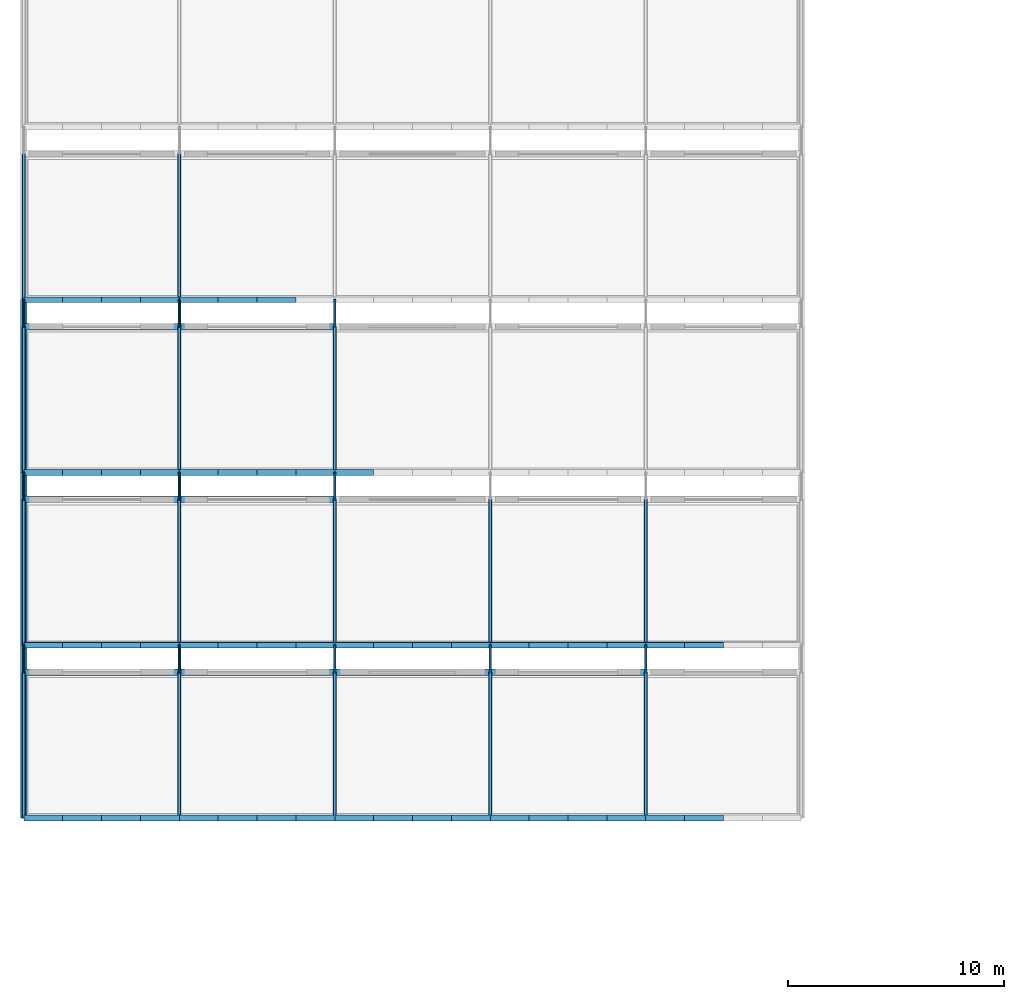
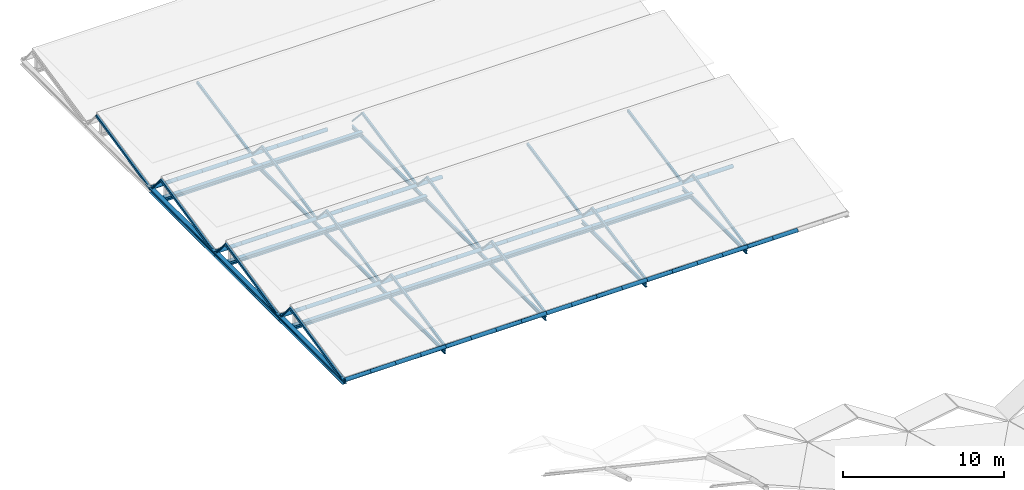
# One storey, part 32 of 54: 78 members, 19 beams.
"""IFC4 building model written with IfcOpenShell, lengths in metres."""

from ifc_helpers import new_model, si_unit, derived_unit, direction, frame, origin, origin_2d, place, context, subcontext, project, spatial, hollow_rectangle, hollow_circle, i_section, extrude, material, material_profile, profile_set, type_object, element, save


model = new_model("IFC4")

# Units and contexts
model_context = context("Model", 3, precision=1e-05, world=origin(), true_north=direction((0.0, 1.0)))
body_context = subcontext(model_context, "Body", "Model", "MODEL_VIEW")
ifc_project = project(units=[si_unit("LENGTHUNIT", "METRE"), si_unit("AREAUNIT", "SQUARE_METRE"), si_unit("VOLUMEUNIT", "CUBIC_METRE"), si_unit("PLANEANGLEUNIT", "RADIAN"), si_unit("MASSUNIT", "GRAM", prefix="KILO"), derived_unit("THERMALTRANSMITTANCEUNIT", [(si_unit("POWERUNIT", "WATT"), 1), (si_unit("LENGTHUNIT", "METRE"), -2), (si_unit("THERMODYNAMICTEMPERATUREUNIT", "KELVIN"), -1)])], contexts=[model_context])

# Site, building, storey
site_placement = place(None, origin())
site = spatial("IfcSite", under=ifc_project, at=site_placement, CompositionType="ELEMENT")
building_placement = place(site_placement, origin())
building = spatial("IfcBuilding", under=site, at=building_placement, Name="Keldorne Ridge Multi-Sports Centre", CompositionType="ELEMENT")
storey_placement = place(building_placement, frame((0.0, 0.0, 22.199951171875)))
storey = spatial("IfcBuildingStorey", under=building, at=storey_placement, Name="ROOF", CompositionType="ELEMENT", Elevation=22.199951171875)

# Beams
ifc_material = material(Name="Steel S355", Category="steel")
ifc_material_profile_1 = material_profile(ifc_material, i_section(OverallWidth=0.135009765625, OverallDepth=0.27001953125, WebThickness=0.006591796875, FlangeThickness=0.01025390625, FilletRadius=0.014892578125, at=origin_2d()), Name="IPE 270")
ifc_profile_set_1 = profile_set([ifc_material_profile_1], Name="Steel S355")
beam_type_1 = type_object("IfcBeamType", Name="BM-J-03", PredefinedType="JOIST", material=ifc_profile_set_1)
for number, where, z_axis, x_axis, name in (
    (1, (13.199951171875, 74.0, -6.429931640625), (0.0, 1.0, 0.0), (-1.0, 0.0, 0.0), "Sawtooth bay tie beam 1.2"),
    (2, (20.39990234375, 74.0, -6.429931640625), (0.0, 1.0, 0.0), (-1.0, 0.0, 0.0), "Sawtooth bay tie beam 1.3"),
    (3, (27.60009765625, 74.0, -6.429931640625), (0.0, 1.0, 0.0), (-1.0, 0.0, 0.0), "Sawtooth bay tie beam 1.4"),
    (4, (34.800048828125, 74.0, -6.429931640625), (0.0, 1.0, 0.0), (-1.0, 0.0, 0.0), "Sawtooth bay tie beam 1.5"),
    (5, (13.199951171875, 82.0, -6.429931640625), (0.0, 1.0, 0.0), (-1.0, 0.0, 0.0), "Sawtooth bay tie beam 2.2"),
    (6, (20.39990234375, 82.0, -6.429931640625), (0.0, 1.0, 0.0), (-1.0, 0.0, 0.0), "Sawtooth bay tie beam 2.3"),
    (7, (13.199951171875, 90.0, -6.429931640625), (0.0, 1.0, 0.0), (-1.0, 0.0, 0.0), "Sawtooth bay tie beam 3.2"),
    (8, (20.39990234375, 90.0, -6.429931640625), (0.0, 1.0, 0.0), (-1.0, 0.0, 0.0), "Sawtooth bay tie beam 3.3"),
):
    element("IfcBeam", number, at=place(storey_placement, frame(where, z_axis=z_axis, x_axis=x_axis)), inside=storey, type_object=beam_type_1, Name=name, PredefinedType="JOIST", context=body_context, shape_type="SweptSolid", body=[
        extrude(i_section(OverallWidth=0.135009765625, OverallDepth=0.27001953125, WebThickness=0.006591796875, FlangeThickness=0.01025390625, FilletRadius=0.014892578125, at=origin_2d()), origin(), (0.0, 0.0, 1.0), 8.0),
    ])
ifc_material_profile_2 = material_profile(ifc_material, i_section(OverallWidth=0.300048828125, OverallDepth=0.35009765625, WebThickness=0.010009765625, FlangeThickness=0.017578125, FilletRadius=0.027099609375, at=origin_2d()), Name="HEA 360")
ifc_profile_set_2 = profile_set([ifc_material_profile_2], Name="Steel S355")
beam_type_2 = type_object("IfcBeamType", Name="BM-SP-03", PredefinedType="SPANDREL", material=ifc_profile_set_2)
for number, where, z_axis, x_axis, name in (
    (9, (6.0, 74.0, -6.14990234375), (0.0, 1.0, 0.0), (-1.0, 0.0, 0.0), "Climbing roof edge beam 6.1"),
    (10, (6.0, 82.0, -6.14990234375), (0.0, 1.0, 0.0), (-1.0, 0.0, 0.0), "Climbing roof edge beam 6.2"),
    (11, (6.0, 90.0, -6.14990234375), (0.0, 1.0, 0.0), (-1.0, 0.0, 0.0), "Climbing roof edge beam 6.3"),
):
    element("IfcBeam", number, at=place(storey_placement, frame(where, z_axis=z_axis, x_axis=x_axis)), inside=storey, type_object=beam_type_2, Name=name, PredefinedType="SPANDREL", context=body_context, shape_type="SweptSolid", body=[
        extrude(i_section(OverallWidth=0.300048828125, OverallDepth=0.35009765625, WebThickness=0.010009765625, FlangeThickness=0.017578125, FilletRadius=0.027099609375, at=origin_2d()), origin(), (0.0, 0.0, 1.0), 8.0),
    ])
ifc_material_profile_3 = material_profile(ifc_material, i_section(OverallWidth=0.300048828125, OverallDepth=0.2900390625, WebThickness=0.008544921875, FlangeThickness=0.013916015625, FilletRadius=0.027099609375, at=origin_2d()), Name="HEA 300")
ifc_profile_set_3 = profile_set([ifc_material_profile_3], Name="Steel S355")
beam_type_3 = type_object("IfcBeamType", Name="BM-SP-04", PredefinedType="SPANDREL", material=ifc_profile_set_3)
for number, where, z_axis, x_axis, name in (
    (12, (6.0, 80.75, -6.14990234375), (1.0, 0.0, 0.0), (0.0, 1.0, 0.0), "Sawtooth monitor sill beam 1.1"),
    (13, (13.199951171875, 80.75, -6.14990234375), (1.0, 0.0, 0.0), (0.0, 1.0, 0.0), "Sawtooth monitor sill beam 1.2"),
):
    element("IfcBeam", number, at=place(storey_placement, frame(where, z_axis=z_axis, x_axis=x_axis)), inside=storey, type_object=beam_type_3, Name=name, PredefinedType="SPANDREL", context=body_context, shape_type="SweptSolid", body=[
        extrude(i_section(OverallWidth=0.300048828125, OverallDepth=0.2900390625, WebThickness=0.008544921875, FlangeThickness=0.013916015625, FilletRadius=0.027099609375, at=origin_2d()), origin(), (0.0, 0.0, 1.0), 7.199951171875),
    ])
beam_placement = place(storey_placement, frame((20.39990234375, 80.75, -6.14990234375), z_axis=(1.0, 0.0, 0.0), x_axis=(0.0, 1.0, 0.0)))
element("IfcBeam", 14, at=beam_placement, inside=storey, type_object=beam_type_3, Name="Sawtooth monitor sill beam 1.3", PredefinedType="SPANDREL", context=body_context, shape_type="SweptSolid", body=[
    extrude(i_section(OverallWidth=0.300048828125, OverallDepth=0.2900390625, WebThickness=0.008544921875, FlangeThickness=0.013916015625, FilletRadius=0.027099609375, at=origin_2d()), origin(), (0.0, 0.0, 1.0), 7.2001953125),
])
for number, where, z_axis, x_axis, name in (
    (15, (27.60009765625, 80.75, -6.14990234375), (1.0, 0.0, 0.0), (0.0, 1.0, 0.0), "Sawtooth monitor sill beam 1.4"),
    (16, (6.0, 88.75, -6.14990234375), (1.0, 0.0, 0.0), (0.0, 1.0, 0.0), "Sawtooth monitor sill beam 2.1"),
    (17, (13.199951171875, 88.75, -6.14990234375), (1.0, 0.0, 0.0), (0.0, 1.0, 0.0), "Sawtooth monitor sill beam 2.2"),
    (18, (6.0, 96.75, -6.14990234375), (1.0, 0.0, 0.0), (0.0, 1.0, 0.0), "Sawtooth monitor sill beam 3.1"),
    (19, (13.199951171875, 96.75, -6.14990234375), (1.0, 0.0, 0.0), (0.0, 1.0, 0.0), "Sawtooth monitor sill beam 3.2"),
):
    element("IfcBeam", number, at=place(storey_placement, frame(where, z_axis=z_axis, x_axis=x_axis)), inside=storey, type_object=beam_type_3, Name=name, PredefinedType="SPANDREL", context=body_context, shape_type="SweptSolid", body=[
        extrude(i_section(OverallWidth=0.300048828125, OverallDepth=0.2900390625, WebThickness=0.008544921875, FlangeThickness=0.013916015625, FilletRadius=0.027099609375, at=origin_2d()), origin(), (0.0, 0.0, 1.0), 7.199951171875),
    ])

# Members
ifc_material_profile_4 = material_profile(ifc_material, hollow_rectangle(XDim=0.14990234375, YDim=0.199951171875, WallThickness=0.010009765625, InnerFilletRadius=0.010009765625, OuterFilletRadius=0.02001953125, at=origin_2d()), Name="RHS 200x150x10")
ifc_profile_set_4 = profile_set([ifc_material_profile_4], Name="Steel S355")
member_type_1 = type_object("IfcMemberType", Name="MEM-RF-01", PredefinedType="RAFTER", material=ifc_profile_set_4)
member_1_placement = place(storey_placement, frame((6.0, 74.0, -6.14990234375), z_axis=(0.0, 0.976187060184, 0.216930457819), x_axis=(-1.0, 0.0, 0.0)))
element("IfcMember", 20, at=member_1_placement, inside=storey, type_object=member_type_1, Name="Sawtooth raked rafter 1.1", PredefinedType="RAFTER", context=body_context, shape_type="SweptSolid", body=[
    extrude(hollow_rectangle(XDim=0.14990234375, YDim=0.199951171875, WallThickness=0.010009765625, InnerFilletRadius=0.010009765625, OuterFilletRadius=0.02001953125, at=origin_2d()), origin(), (0.0, 0.0, 1.0), 6.91455078125),
])
for number, where, z_axis, x_axis, name in (
    (21, (13.199951171875, 74.0, -6.02001953125), (0.0, 0.980014968918, 0.198923755988), (-1.0, 0.0, 0.0), "Sawtooth raked rafter 1.2"),
    (22, (20.39990234375, 74.0, -6.02001953125), (0.0, 0.980014968918, 0.198923755988), (-1.0, 0.0, 0.0), "Sawtooth raked rafter 1.3"),
    (23, (27.60009765625, 74.0, -6.02001953125), (0.0, 0.980014968918, 0.198923755988), (-1.0, 0.0, 0.0), "Sawtooth raked rafter 1.4"),
    (24, (34.800048828125, 74.0, -6.02001953125), (0.0, 0.980014968918, 0.198923755988), (-1.0, 0.0, 0.0), "Sawtooth raked rafter 1.5"),
):
    element("IfcMember", number, at=place(storey_placement, frame(where, z_axis=z_axis, x_axis=x_axis)), inside=storey, type_object=member_type_1, Name=name, PredefinedType="RAFTER", context=body_context, shape_type="SweptSolid", body=[
        extrude(hollow_rectangle(XDim=0.14990234375, YDim=0.199951171875, WallThickness=0.010009765625, InnerFilletRadius=0.010009765625, OuterFilletRadius=0.02001953125, at=origin_2d()), origin(), (0.0, 0.0, 1.0), 6.8876953125),
    ])
member_2_placement = place(storey_placement, frame((6.0, 82.0, -6.14990234375), z_axis=(0.0, 0.976187060184, 0.216930457819), x_axis=(-1.0, 0.0, 0.0)))
element("IfcMember", 25, at=member_2_placement, inside=storey, type_object=member_type_1, Name="Sawtooth raked rafter 2.1", PredefinedType="RAFTER", context=body_context, shape_type="SweptSolid", body=[
    extrude(hollow_rectangle(XDim=0.14990234375, YDim=0.199951171875, WallThickness=0.010009765625, InnerFilletRadius=0.010009765625, OuterFilletRadius=0.02001953125, at=origin_2d()), origin(), (0.0, 0.0, 1.0), 6.91455078125),
])
for number, where, z_axis, x_axis, name in (
    (26, (13.199951171875, 82.0, -6.02001953125), (0.0, 0.980014968918, 0.198923755988), (-1.0, 0.0, 0.0), "Sawtooth raked rafter 2.2"),
    (27, (20.39990234375, 82.0, -6.02001953125), (0.0, 0.980014968918, 0.198923755988), (-1.0, 0.0, 0.0), "Sawtooth raked rafter 2.3"),
    (28, (27.60009765625, 82.0, -6.02001953125), (0.0, 0.980014968918, 0.198923755988), (-1.0, 0.0, 0.0), "Sawtooth raked rafter 2.4"),
    (29, (34.800048828125, 82.0, -6.02001953125), (0.0, 0.980014968918, 0.198923755988), (-1.0, 0.0, 0.0), "Sawtooth raked rafter 2.5"),
):
    element("IfcMember", number, at=place(storey_placement, frame(where, z_axis=z_axis, x_axis=x_axis)), inside=storey, type_object=member_type_1, Name=name, PredefinedType="RAFTER", context=body_context, shape_type="SweptSolid", body=[
        extrude(hollow_rectangle(XDim=0.14990234375, YDim=0.199951171875, WallThickness=0.010009765625, InnerFilletRadius=0.010009765625, OuterFilletRadius=0.02001953125, at=origin_2d()), origin(), (0.0, 0.0, 1.0), 6.8876953125),
    ])
member_3_placement = place(storey_placement, frame((6.0, 90.0, -6.14990234375), z_axis=(0.0, 0.976187060184, 0.216930457819), x_axis=(-1.0, 0.0, 0.0)))
element("IfcMember", 30, at=member_3_placement, inside=storey, type_object=member_type_1, Name="Sawtooth raked rafter 3.1", PredefinedType="RAFTER", context=body_context, shape_type="SweptSolid", body=[
    extrude(hollow_rectangle(XDim=0.14990234375, YDim=0.199951171875, WallThickness=0.010009765625, InnerFilletRadius=0.010009765625, OuterFilletRadius=0.02001953125, at=origin_2d()), origin(), (0.0, 0.0, 1.0), 6.91455078125),
])
for number, where, z_axis, x_axis, name in (
    (31, (13.199951171875, 90.0, -6.02001953125), (0.0, 0.980014968918, 0.198923755988), (-1.0, 0.0, 0.0), "Sawtooth raked rafter 3.2"),
    (32, (20.39990234375, 90.0, -6.02001953125), (0.0, 0.980014968918, 0.198923755988), (-1.0, 0.0, 0.0), "Sawtooth raked rafter 3.3"),
):
    element("IfcMember", number, at=place(storey_placement, frame(where, z_axis=z_axis, x_axis=x_axis)), inside=storey, type_object=member_type_1, Name=name, PredefinedType="RAFTER", context=body_context, shape_type="SweptSolid", body=[
        extrude(hollow_rectangle(XDim=0.14990234375, YDim=0.199951171875, WallThickness=0.010009765625, InnerFilletRadius=0.010009765625, OuterFilletRadius=0.02001953125, at=origin_2d()), origin(), (0.0, 0.0, 1.0), 6.8876953125),
    ])
member_4_placement = place(storey_placement, frame((6.0, 98.0, -6.14990234375), z_axis=(0.0, 0.976187060184, 0.216930457819), x_axis=(-1.0, 0.0, 0.0)))
element("IfcMember", 33, at=member_4_placement, inside=storey, type_object=member_type_1, Name="Sawtooth raked rafter 4.1", PredefinedType="RAFTER", context=body_context, shape_type="SweptSolid", body=[
    extrude(hollow_rectangle(XDim=0.14990234375, YDim=0.199951171875, WallThickness=0.010009765625, InnerFilletRadius=0.010009765625, OuterFilletRadius=0.02001953125, at=origin_2d()), origin(), (0.0, 0.0, 1.0), 6.91455078125),
])
member_5_placement = place(storey_placement, frame((13.199951171875, 98.0, -6.02001953125), z_axis=(0.0, 0.980014968918, 0.198923755988), x_axis=(-1.0, 0.0, 0.0)))
element("IfcMember", 34, at=member_5_placement, inside=storey, type_object=member_type_1, Name="Sawtooth raked rafter 4.2", PredefinedType="RAFTER", context=body_context, shape_type="SweptSolid", body=[
    extrude(hollow_rectangle(XDim=0.14990234375, YDim=0.199951171875, WallThickness=0.010009765625, InnerFilletRadius=0.010009765625, OuterFilletRadius=0.02001953125, at=origin_2d()), origin(), (0.0, 0.0, 1.0), 6.8876953125),
])
ifc_material_profile_5 = material_profile(ifc_material, hollow_circle(Radius=0.136474609375, WallThickness=0.012451171875, at=origin_2d()), Name="CHS 273x12.5")
ifc_profile_set_5 = profile_set([ifc_material_profile_5], Name="Steel S355")
member_type_2 = type_object("IfcMemberType", Name="MEM-TC-05", PredefinedType="CHORD", material=ifc_profile_set_5)
for number, where, z_axis, x_axis, name in (
    (35, (6.0, 74.0, -6.02001953125), (1.0, 0.0, 0.0), (0.0, 1.0, 0.0), "Climbing sawtooth ROOF TRUSS ST-01 top chord 1"),
    (36, (7.800048828125, 74.0, -6.02001953125), (1.0, 0.0, 0.0), (0.0, 1.0, 0.0), "Climbing sawtooth ROOF TRUSS ST-01 top chord 2"),
):
    element("IfcMember", number, at=place(storey_placement, frame(where, z_axis=z_axis, x_axis=x_axis)), inside=storey, type_object=member_type_2, Name=name, PredefinedType="CHORD", context=body_context, shape_type="SweptSolid", body=[
        extrude(hollow_circle(Radius=0.136474609375, WallThickness=0.012451171875, at=origin_2d()), origin(), (0.0, 0.0, 1.0), 1.800048828125),
    ])
member_6_placement = place(storey_placement, frame((9.60009765625, 74.0, -6.02001953125), z_axis=(1.0, 0.0, 0.0), x_axis=(0.0, 1.0, 0.0)))
element("IfcMember", 37, at=member_6_placement, inside=storey, type_object=member_type_2, Name="Climbing sawtooth ROOF TRUSS ST-01 top chord 3", PredefinedType="CHORD", context=body_context, shape_type="SweptSolid", body=[
    extrude(hollow_circle(Radius=0.136474609375, WallThickness=0.012451171875, at=origin_2d()), origin(), (0.0, 0.0, 1.0), 1.7998046875),
])
for number, where, z_axis, x_axis, name in (
    (38, (11.39990234375, 74.0, -6.02001953125), (1.0, 0.0, 0.0), (0.0, 1.0, 0.0), "Climbing sawtooth ROOF TRUSS ST-01 top chord 4"),
    (39, (13.199951171875, 74.0, -6.02001953125), (1.0, 0.0, 0.0), (0.0, 1.0, 0.0), "Climbing sawtooth ROOF TRUSS ST-01 top chord 5"),
    (40, (15.0, 74.0, -6.02001953125), (1.0, 0.0, 0.0), (0.0, 1.0, 0.0), "Climbing sawtooth ROOF TRUSS ST-01 top chord 6"),
    (41, (16.800048828125, 74.0, -6.02001953125), (1.0, 0.0, 0.0), (0.0, 1.0, 0.0), "Climbing sawtooth ROOF TRUSS ST-01 top chord 7"),
):
    element("IfcMember", number, at=place(storey_placement, frame(where, z_axis=z_axis, x_axis=x_axis)), inside=storey, type_object=member_type_2, Name=name, PredefinedType="CHORD", context=body_context, shape_type="SweptSolid", body=[
        extrude(hollow_circle(Radius=0.136474609375, WallThickness=0.012451171875, at=origin_2d()), origin(), (0.0, 0.0, 1.0), 1.800048828125),
    ])
member_7_placement = place(storey_placement, frame((18.60009765625, 74.0, -6.02001953125), z_axis=(1.0, 0.0, 0.0), x_axis=(0.0, 1.0, 0.0)))
element("IfcMember", 42, at=member_7_placement, inside=storey, type_object=member_type_2, Name="Climbing sawtooth ROOF TRUSS ST-01 top chord 8", PredefinedType="CHORD", context=body_context, shape_type="SweptSolid", body=[
    extrude(hollow_circle(Radius=0.136474609375, WallThickness=0.012451171875, at=origin_2d()), origin(), (0.0, 0.0, 1.0), 1.7998046875),
])
for number, where, z_axis, x_axis, name in (
    (43, (20.39990234375, 74.0, -6.02001953125), (1.0, 0.0, 0.0), (0.0, 1.0, 0.0), "Climbing sawtooth ROOF TRUSS ST-01 top chord 9"),
    (44, (22.199951171875, 74.0, -6.02001953125), (1.0, 0.0, 0.0), (0.0, 1.0, 0.0), "Climbing sawtooth ROOF TRUSS ST-01 top chord 10"),
    (45, (24.0, 74.0, -6.02001953125), (1.0, 0.0, 0.0), (0.0, 1.0, 0.0), "Climbing sawtooth ROOF TRUSS ST-01 top chord 11"),
    (46, (25.800048828125, 74.0, -6.02001953125), (1.0, 0.0, 0.0), (0.0, 1.0, 0.0), "Climbing sawtooth ROOF TRUSS ST-01 top chord 12"),
):
    element("IfcMember", number, at=place(storey_placement, frame(where, z_axis=z_axis, x_axis=x_axis)), inside=storey, type_object=member_type_2, Name=name, PredefinedType="CHORD", context=body_context, shape_type="SweptSolid", body=[
        extrude(hollow_circle(Radius=0.136474609375, WallThickness=0.012451171875, at=origin_2d()), origin(), (0.0, 0.0, 1.0), 1.800048828125),
    ])
member_8_placement = place(storey_placement, frame((27.60009765625, 74.0, -6.02001953125), z_axis=(1.0, 0.0, 0.0), x_axis=(0.0, 1.0, 0.0)))
element("IfcMember", 47, at=member_8_placement, inside=storey, type_object=member_type_2, Name="Climbing sawtooth ROOF TRUSS ST-01 top chord 13", PredefinedType="CHORD", context=body_context, shape_type="SweptSolid", body=[
    extrude(hollow_circle(Radius=0.136474609375, WallThickness=0.012451171875, at=origin_2d()), origin(), (0.0, 0.0, 1.0), 1.7998046875),
])
for number, where, z_axis, x_axis, name in (
    (48, (29.39990234375, 74.0, -6.02001953125), (1.0, 0.0, 0.0), (0.0, 1.0, 0.0), "Climbing sawtooth ROOF TRUSS ST-01 top chord 14"),
    (49, (31.199951171875, 74.0, -6.02001953125), (1.0, 0.0, 0.0), (0.0, 1.0, 0.0), "Climbing sawtooth ROOF TRUSS ST-01 top chord 15"),
    (50, (33.0, 74.0, -6.02001953125), (1.0, 0.0, 0.0), (0.0, 1.0, 0.0), "Climbing sawtooth ROOF TRUSS ST-01 top chord 16"),
    (51, (34.800048828125, 74.0, -6.02001953125), (1.0, 0.0, 0.0), (0.0, 1.0, 0.0), "Climbing sawtooth ROOF TRUSS ST-01 top chord 17"),
):
    element("IfcMember", number, at=place(storey_placement, frame(where, z_axis=z_axis, x_axis=x_axis)), inside=storey, type_object=member_type_2, Name=name, PredefinedType="CHORD", context=body_context, shape_type="SweptSolid", body=[
        extrude(hollow_circle(Radius=0.136474609375, WallThickness=0.012451171875, at=origin_2d()), origin(), (0.0, 0.0, 1.0), 1.800048828125),
    ])
member_9_placement = place(storey_placement, frame((36.60009765625, 74.0, -6.02001953125), z_axis=(1.0, 0.0, 0.0), x_axis=(0.0, 1.0, 0.0)))
element("IfcMember", 52, at=member_9_placement, inside=storey, type_object=member_type_2, Name="Climbing sawtooth ROOF TRUSS ST-01 top chord 18", PredefinedType="CHORD", context=body_context, shape_type="SweptSolid", body=[
    extrude(hollow_circle(Radius=0.136474609375, WallThickness=0.012451171875, at=origin_2d()), origin(), (0.0, 0.0, 1.0), 1.7998046875),
])
for number, where, z_axis, x_axis, name in (
    (53, (6.0, 82.0, -6.02001953125), (1.0, 0.0, 0.0), (0.0, 1.0, 0.0), "Climbing sawtooth ROOF TRUSS ST-02 top chord 1"),
    (54, (7.800048828125, 82.0, -6.02001953125), (1.0, 0.0, 0.0), (0.0, 1.0, 0.0), "Climbing sawtooth ROOF TRUSS ST-02 top chord 2"),
):
    element("IfcMember", number, at=place(storey_placement, frame(where, z_axis=z_axis, x_axis=x_axis)), inside=storey, type_object=member_type_2, Name=name, PredefinedType="CHORD", context=body_context, shape_type="SweptSolid", body=[
        extrude(hollow_circle(Radius=0.136474609375, WallThickness=0.012451171875, at=origin_2d()), origin(), (0.0, 0.0, 1.0), 1.800048828125),
    ])
member_10_placement = place(storey_placement, frame((9.60009765625, 82.0, -6.02001953125), z_axis=(1.0, 0.0, 0.0), x_axis=(0.0, 1.0, 0.0)))
element("IfcMember", 55, at=member_10_placement, inside=storey, type_object=member_type_2, Name="Climbing sawtooth ROOF TRUSS ST-02 top chord 3", PredefinedType="CHORD", context=body_context, shape_type="SweptSolid", body=[
    extrude(hollow_circle(Radius=0.136474609375, WallThickness=0.012451171875, at=origin_2d()), origin(), (0.0, 0.0, 1.0), 1.7998046875),
])
for number, where, z_axis, x_axis, name in (
    (56, (11.39990234375, 82.0, -6.02001953125), (1.0, 0.0, 0.0), (0.0, 1.0, 0.0), "Climbing sawtooth ROOF TRUSS ST-02 top chord 4"),
    (57, (13.199951171875, 82.0, -6.02001953125), (1.0, 0.0, 0.0), (0.0, 1.0, 0.0), "Climbing sawtooth ROOF TRUSS ST-02 top chord 5"),
    (58, (15.0, 82.0, -6.02001953125), (1.0, 0.0, 0.0), (0.0, 1.0, 0.0), "Climbing sawtooth ROOF TRUSS ST-02 top chord 6"),
    (59, (16.800048828125, 82.0, -6.02001953125), (1.0, 0.0, 0.0), (0.0, 1.0, 0.0), "Climbing sawtooth ROOF TRUSS ST-02 top chord 7"),
):
    element("IfcMember", number, at=place(storey_placement, frame(where, z_axis=z_axis, x_axis=x_axis)), inside=storey, type_object=member_type_2, Name=name, PredefinedType="CHORD", context=body_context, shape_type="SweptSolid", body=[
        extrude(hollow_circle(Radius=0.136474609375, WallThickness=0.012451171875, at=origin_2d()), origin(), (0.0, 0.0, 1.0), 1.800048828125),
    ])
member_11_placement = place(storey_placement, frame((18.60009765625, 82.0, -6.02001953125), z_axis=(1.0, 0.0, 0.0), x_axis=(0.0, 1.0, 0.0)))
element("IfcMember", 60, at=member_11_placement, inside=storey, type_object=member_type_2, Name="Climbing sawtooth ROOF TRUSS ST-02 top chord 8", PredefinedType="CHORD", context=body_context, shape_type="SweptSolid", body=[
    extrude(hollow_circle(Radius=0.136474609375, WallThickness=0.012451171875, at=origin_2d()), origin(), (0.0, 0.0, 1.0), 1.7998046875),
])
for number, where, z_axis, x_axis, name in (
    (61, (20.39990234375, 82.0, -6.02001953125), (1.0, 0.0, 0.0), (0.0, 1.0, 0.0), "Climbing sawtooth ROOF TRUSS ST-02 top chord 9"),
    (62, (22.199951171875, 82.0, -6.02001953125), (1.0, 0.0, 0.0), (0.0, 1.0, 0.0), "Climbing sawtooth ROOF TRUSS ST-02 top chord 10"),
    (63, (24.0, 82.0, -6.02001953125), (1.0, 0.0, 0.0), (0.0, 1.0, 0.0), "Climbing sawtooth ROOF TRUSS ST-02 top chord 11"),
    (64, (25.800048828125, 82.0, -6.02001953125), (1.0, 0.0, 0.0), (0.0, 1.0, 0.0), "Climbing sawtooth ROOF TRUSS ST-02 top chord 12"),
):
    element("IfcMember", number, at=place(storey_placement, frame(where, z_axis=z_axis, x_axis=x_axis)), inside=storey, type_object=member_type_2, Name=name, PredefinedType="CHORD", context=body_context, shape_type="SweptSolid", body=[
        extrude(hollow_circle(Radius=0.136474609375, WallThickness=0.012451171875, at=origin_2d()), origin(), (0.0, 0.0, 1.0), 1.800048828125),
    ])
member_12_placement = place(storey_placement, frame((27.60009765625, 82.0, -6.02001953125), z_axis=(1.0, 0.0, 0.0), x_axis=(0.0, 1.0, 0.0)))
element("IfcMember", 65, at=member_12_placement, inside=storey, type_object=member_type_2, Name="Climbing sawtooth ROOF TRUSS ST-02 top chord 13", PredefinedType="CHORD", context=body_context, shape_type="SweptSolid", body=[
    extrude(hollow_circle(Radius=0.136474609375, WallThickness=0.012451171875, at=origin_2d()), origin(), (0.0, 0.0, 1.0), 1.7998046875),
])
for number, where, z_axis, x_axis, name in (
    (66, (29.39990234375, 82.0, -6.02001953125), (1.0, 0.0, 0.0), (0.0, 1.0, 0.0), "Climbing sawtooth ROOF TRUSS ST-02 top chord 14"),
    (67, (31.199951171875, 82.0, -6.02001953125), (1.0, 0.0, 0.0), (0.0, 1.0, 0.0), "Climbing sawtooth ROOF TRUSS ST-02 top chord 15"),
    (68, (33.0, 82.0, -6.02001953125), (1.0, 0.0, 0.0), (0.0, 1.0, 0.0), "Climbing sawtooth ROOF TRUSS ST-02 top chord 16"),
    (69, (34.800048828125, 82.0, -6.02001953125), (1.0, 0.0, 0.0), (0.0, 1.0, 0.0), "Climbing sawtooth ROOF TRUSS ST-02 top chord 17"),
):
    element("IfcMember", number, at=place(storey_placement, frame(where, z_axis=z_axis, x_axis=x_axis)), inside=storey, type_object=member_type_2, Name=name, PredefinedType="CHORD", context=body_context, shape_type="SweptSolid", body=[
        extrude(hollow_circle(Radius=0.136474609375, WallThickness=0.012451171875, at=origin_2d()), origin(), (0.0, 0.0, 1.0), 1.800048828125),
    ])
member_13_placement = place(storey_placement, frame((36.60009765625, 82.0, -6.02001953125), z_axis=(1.0, 0.0, 0.0), x_axis=(0.0, 1.0, 0.0)))
element("IfcMember", 70, at=member_13_placement, inside=storey, type_object=member_type_2, Name="Climbing sawtooth ROOF TRUSS ST-02 top chord 18", PredefinedType="CHORD", context=body_context, shape_type="SweptSolid", body=[
    extrude(hollow_circle(Radius=0.136474609375, WallThickness=0.012451171875, at=origin_2d()), origin(), (0.0, 0.0, 1.0), 1.7998046875),
])
for number, where, z_axis, x_axis, name in (
    (71, (6.0, 90.0, -6.02001953125), (1.0, 0.0, 0.0), (0.0, 1.0, 0.0), "Climbing sawtooth ROOF TRUSS ST-03 top chord 1"),
    (72, (7.800048828125, 90.0, -6.02001953125), (1.0, 0.0, 0.0), (0.0, 1.0, 0.0), "Climbing sawtooth ROOF TRUSS ST-03 top chord 2"),
):
    element("IfcMember", number, at=place(storey_placement, frame(where, z_axis=z_axis, x_axis=x_axis)), inside=storey, type_object=member_type_2, Name=name, PredefinedType="CHORD", context=body_context, shape_type="SweptSolid", body=[
        extrude(hollow_circle(Radius=0.136474609375, WallThickness=0.012451171875, at=origin_2d()), origin(), (0.0, 0.0, 1.0), 1.800048828125),
    ])
member_14_placement = place(storey_placement, frame((9.60009765625, 90.0, -6.02001953125), z_axis=(1.0, 0.0, 0.0), x_axis=(0.0, 1.0, 0.0)))
element("IfcMember", 73, at=member_14_placement, inside=storey, type_object=member_type_2, Name="Climbing sawtooth ROOF TRUSS ST-03 top chord 3", PredefinedType="CHORD", context=body_context, shape_type="SweptSolid", body=[
    extrude(hollow_circle(Radius=0.136474609375, WallThickness=0.012451171875, at=origin_2d()), origin(), (0.0, 0.0, 1.0), 1.7998046875),
])
for number, where, z_axis, x_axis, name in (
    (74, (11.39990234375, 90.0, -6.02001953125), (1.0, 0.0, 0.0), (0.0, 1.0, 0.0), "Climbing sawtooth ROOF TRUSS ST-03 top chord 4"),
    (75, (13.199951171875, 90.0, -6.02001953125), (1.0, 0.0, 0.0), (0.0, 1.0, 0.0), "Climbing sawtooth ROOF TRUSS ST-03 top chord 5"),
    (76, (15.0, 90.0, -6.02001953125), (1.0, 0.0, 0.0), (0.0, 1.0, 0.0), "Climbing sawtooth ROOF TRUSS ST-03 top chord 6"),
    (77, (16.800048828125, 90.0, -6.02001953125), (1.0, 0.0, 0.0), (0.0, 1.0, 0.0), "Climbing sawtooth ROOF TRUSS ST-03 top chord 7"),
):
    element("IfcMember", number, at=place(storey_placement, frame(where, z_axis=z_axis, x_axis=x_axis)), inside=storey, type_object=member_type_2, Name=name, PredefinedType="CHORD", context=body_context, shape_type="SweptSolid", body=[
        extrude(hollow_circle(Radius=0.136474609375, WallThickness=0.012451171875, at=origin_2d()), origin(), (0.0, 0.0, 1.0), 1.800048828125),
    ])
member_15_placement = place(storey_placement, frame((18.60009765625, 90.0, -6.02001953125), z_axis=(1.0, 0.0, 0.0), x_axis=(0.0, 1.0, 0.0)))
element("IfcMember", 78, at=member_15_placement, inside=storey, type_object=member_type_2, Name="Climbing sawtooth ROOF TRUSS ST-03 top chord 8", PredefinedType="CHORD", context=body_context, shape_type="SweptSolid", body=[
    extrude(hollow_circle(Radius=0.136474609375, WallThickness=0.012451171875, at=origin_2d()), origin(), (0.0, 0.0, 1.0), 1.7998046875),
])
for number, where, z_axis, x_axis, name in (
    (79, (20.39990234375, 90.0, -6.02001953125), (1.0, 0.0, 0.0), (0.0, 1.0, 0.0), "Climbing sawtooth ROOF TRUSS ST-03 top chord 9"),
    (80, (6.0, 98.0, -6.02001953125), (1.0, 0.0, 0.0), (0.0, 1.0, 0.0), "Climbing sawtooth ROOF TRUSS ST-04 top chord 1"),
    (81, (7.800048828125, 98.0, -6.02001953125), (1.0, 0.0, 0.0), (0.0, 1.0, 0.0), "Climbing sawtooth ROOF TRUSS ST-04 top chord 2"),
):
    element("IfcMember", number, at=place(storey_placement, frame(where, z_axis=z_axis, x_axis=x_axis)), inside=storey, type_object=member_type_2, Name=name, PredefinedType="CHORD", context=body_context, shape_type="SweptSolid", body=[
        extrude(hollow_circle(Radius=0.136474609375, WallThickness=0.012451171875, at=origin_2d()), origin(), (0.0, 0.0, 1.0), 1.800048828125),
    ])
member_16_placement = place(storey_placement, frame((9.60009765625, 98.0, -6.02001953125), z_axis=(1.0, 0.0, 0.0), x_axis=(0.0, 1.0, 0.0)))
element("IfcMember", 82, at=member_16_placement, inside=storey, type_object=member_type_2, Name="Climbing sawtooth ROOF TRUSS ST-04 top chord 3", PredefinedType="CHORD", context=body_context, shape_type="SweptSolid", body=[
    extrude(hollow_circle(Radius=0.136474609375, WallThickness=0.012451171875, at=origin_2d()), origin(), (0.0, 0.0, 1.0), 1.7998046875),
])
for number, where, z_axis, x_axis, name in (
    (83, (11.39990234375, 98.0, -6.02001953125), (1.0, 0.0, 0.0), (0.0, 1.0, 0.0), "Climbing sawtooth ROOF TRUSS ST-04 top chord 4"),
    (84, (13.199951171875, 98.0, -6.02001953125), (1.0, 0.0, 0.0), (0.0, 1.0, 0.0), "Climbing sawtooth ROOF TRUSS ST-04 top chord 5"),
    (85, (15.0, 98.0, -6.02001953125), (1.0, 0.0, 0.0), (0.0, 1.0, 0.0), "Climbing sawtooth ROOF TRUSS ST-04 top chord 6"),
    (86, (16.800048828125, 98.0, -6.02001953125), (1.0, 0.0, 0.0), (0.0, 1.0, 0.0), "Climbing sawtooth ROOF TRUSS ST-04 top chord 7"),
):
    element("IfcMember", number, at=place(storey_placement, frame(where, z_axis=z_axis, x_axis=x_axis)), inside=storey, type_object=member_type_2, Name=name, PredefinedType="CHORD", context=body_context, shape_type="SweptSolid", body=[
        extrude(hollow_circle(Radius=0.136474609375, WallThickness=0.012451171875, at=origin_2d()), origin(), (0.0, 0.0, 1.0), 1.800048828125),
    ])
ifc_material_profile_6 = material_profile(ifc_material, hollow_circle(Radius=0.05712890625, WallThickness=0.00634765625, at=origin_2d()), Name="CHS 114.3x6.3")
ifc_profile_set_6 = profile_set([ifc_material_profile_6], Name="Steel S355")
member_type_3 = type_object("IfcMemberType", Name="MEM-TV-03", PredefinedType="STRUT", material=ifc_profile_set_6)
member_17_placement = place(storey_placement, frame((6.0, 80.75, -4.64990234375), z_axis=(0.0, 0.640184399664, -0.768221279597), x_axis=(-1.0, 0.0, 0.0)))
element("IfcMember", 87, at=member_17_placement, inside=storey, type_object=member_type_3, Name="Sawtooth monitor strut 1.1", PredefinedType="STRUT", context=body_context, shape_type="SweptSolid", body=[
    extrude(hollow_circle(Radius=0.05712890625, WallThickness=0.00634765625, at=origin_2d()), origin(), (0.0, 0.0, 1.0), 1.95263671875),
])
for number, where, z_axis, x_axis, name in (
    (88, (13.199951171875, 80.75, -4.64990234375), (0.0, 0.67398215409, -0.738747626709), (-1.0, 0.0, 0.0), "Sawtooth monitor strut 1.2"),
    (89, (20.39990234375, 80.75, -4.64990234375), (0.0, 0.67398215409, -0.738747626709), (-1.0, 0.0, 0.0), "Sawtooth monitor strut 1.3"),
    (90, (27.60009765625, 80.75, -4.64990234375), (0.0, 0.67398215409, -0.738747626709), (-1.0, 0.0, 0.0), "Sawtooth monitor strut 1.4"),
    (91, (34.800048828125, 80.75, -4.64990234375), (0.0, 0.67398215409, -0.738747626709), (-1.0, 0.0, 0.0), "Sawtooth monitor strut 1.5"),
):
    element("IfcMember", number, at=place(storey_placement, frame(where, z_axis=z_axis, x_axis=x_axis)), inside=storey, type_object=member_type_3, Name=name, PredefinedType="STRUT", context=body_context, shape_type="SweptSolid", body=[
        extrude(hollow_circle(Radius=0.05712890625, WallThickness=0.00634765625, at=origin_2d()), origin(), (0.0, 0.0, 1.0), 1.854736328125),
    ])
member_18_placement = place(storey_placement, frame((6.0, 88.75, -4.64990234375), z_axis=(0.0, 0.640184399664, -0.768221279597), x_axis=(-1.0, 0.0, 0.0)))
element("IfcMember", 92, at=member_18_placement, inside=storey, type_object=member_type_3, Name="Sawtooth monitor strut 2.1", PredefinedType="STRUT", context=body_context, shape_type="SweptSolid", body=[
    extrude(hollow_circle(Radius=0.05712890625, WallThickness=0.00634765625, at=origin_2d()), origin(), (0.0, 0.0, 1.0), 1.95263671875),
])
for number, where, z_axis, x_axis, name in (
    (93, (13.199951171875, 88.75, -4.64990234375), (0.0, 0.67398215409, -0.738747626709), (-1.0, 0.0, 0.0), "Sawtooth monitor strut 2.2"),
    (94, (20.39990234375, 88.75, -4.64990234375), (0.0, 0.67398215409, -0.738747626709), (-1.0, 0.0, 0.0), "Sawtooth monitor strut 2.3"),
):
    element("IfcMember", number, at=place(storey_placement, frame(where, z_axis=z_axis, x_axis=x_axis)), inside=storey, type_object=member_type_3, Name=name, PredefinedType="STRUT", context=body_context, shape_type="SweptSolid", body=[
        extrude(hollow_circle(Radius=0.05712890625, WallThickness=0.00634765625, at=origin_2d()), origin(), (0.0, 0.0, 1.0), 1.854736328125),
    ])
member_19_placement = place(storey_placement, frame((6.0, 96.75, -4.64990234375), z_axis=(0.0, 0.640184399664, -0.768221279597), x_axis=(-1.0, 0.0, 0.0)))
element("IfcMember", 95, at=member_19_placement, inside=storey, type_object=member_type_3, Name="Sawtooth monitor strut 3.1", PredefinedType="STRUT", context=body_context, shape_type="SweptSolid", body=[
    extrude(hollow_circle(Radius=0.05712890625, WallThickness=0.00634765625, at=origin_2d()), origin(), (0.0, 0.0, 1.0), 1.95263671875),
])
for number, where, z_axis, x_axis, name in (
    (96, (13.199951171875, 96.75, -4.64990234375), (0.0, 0.67398215409, -0.738747626709), (-1.0, 0.0, 0.0), "Sawtooth monitor strut 3.2"),
    (97, (20.39990234375, 96.75, -4.64990234375), (0.0, 0.67398215409, -0.738747626709), (-1.0, 0.0, 0.0), "Sawtooth monitor strut 3.3"),
):
    element("IfcMember", number, at=place(storey_placement, frame(where, z_axis=z_axis, x_axis=x_axis)), inside=storey, type_object=member_type_3, Name=name, PredefinedType="STRUT", context=body_context, shape_type="SweptSolid", body=[
        extrude(hollow_circle(Radius=0.05712890625, WallThickness=0.00634765625, at=origin_2d()), origin(), (0.0, 0.0, 1.0), 1.854736328125),
    ])

save(model, "model.ifc")
